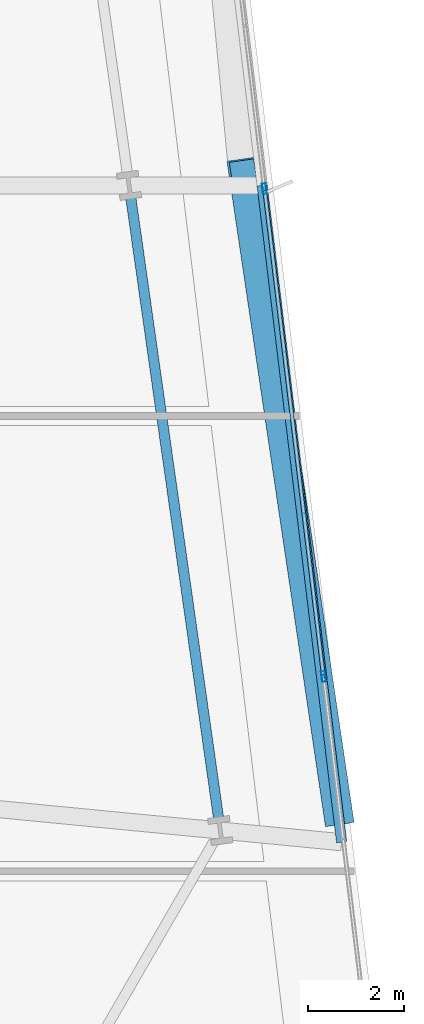
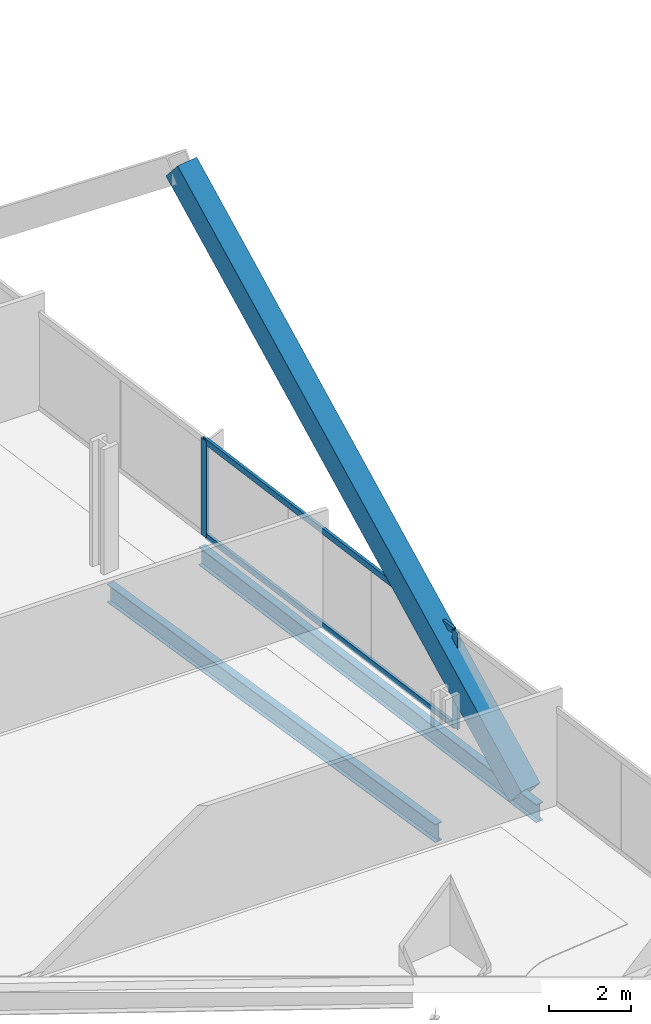
# One storey, part 13 of 33: 5 members, 2 beams, 1 element without a shape of its own.
"""IFC4 building model written with IfcOpenShell, lengths in metres."""

from ifc_helpers import new_model, si_unit, direction, frame, origin, origin_2d, place, context, subcontext, project, spatial, hollow_rectangle, i_section, extrude, material, material_profile, profile_set, type_object, element, aggregate, save


model = new_model("IFC4")

# Units and contexts
model_context = context("Model", 3, precision=1e-05, world=origin(), true_north=direction((0.0, 1.0)))
body_context = subcontext(model_context, "Body", "Model", "MODEL_VIEW")
ifc_project = project(units=[si_unit("LENGTHUNIT", "METRE"), si_unit("AREAUNIT", "SQUARE_METRE"), si_unit("VOLUMEUNIT", "CUBIC_METRE"), si_unit("PLANEANGLEUNIT", "RADIAN"), si_unit("MASSUNIT", "GRAM", prefix="KILO")], contexts=[model_context])

# Site, building, storey
site_placement = place(None, origin())
site = spatial("IfcSite", under=ifc_project, at=site_placement, CompositionType="ELEMENT")
building_placement = place(site_placement, origin())
building = spatial("IfcBuilding", under=site, at=building_placement, Name="Haldenkirk Collegiate Tower", CompositionType="ELEMENT")
storey_placement = place(building_placement, frame((0.0, 0.0, 51.449951171875)))
storey = spatial("IfcBuildingStorey", under=building, at=storey_placement, Name="L11", CompositionType="ELEMENT", Elevation=51.449951171875)

# Beams
ifc_material_1 = material(Name="Steel ASTM A992 Grade 50", Category="steel")
ifc_material_profile_1 = material_profile(ifc_material_1, i_section(OverallWidth=0.2119140625, OverallDepth=0.5439453125, WebThickness=0.01318359375, FlangeThickness=0.021240234375, at=origin_2d()), Name="W21X83")
ifc_profile_set_1 = profile_set([ifc_material_profile_1], Name="Steel ASTM A992 Grade 50")
beam_type = type_object("IfcBeamType", Name="BM-SPANDREL-W21X83", PredefinedType="SPANDREL", material=ifc_profile_set_1)
beam_1_placement = place(storey_placement, frame((61.611083984375, 16.65478515625, -0.58203125), z_axis=(-0.140040904101, 0.990145719164, 0.0), x_axis=(-0.990145719164, -0.140040904101, 0.0)))
element("IfcBeam", 1, at=beam_1_placement, inside=storey, type_object=beam_type, Name="L11 perimeter spandrel beam 06", PredefinedType="SPANDREL", context=body_context, shape_type="SweptSolid", body=[
    extrude(i_section(OverallWidth=0.2119140625, OverallDepth=0.5439453125, WebThickness=0.01318359375, FlangeThickness=0.021240234375, at=origin_2d()), origin(), (0.0, 0.0, 1.0), 13.000244140625),
])
beam_2_placement = place(storey_placement, frame((64.16748046875, 16.14990234375, -0.58203125), z_axis=(-0.120147210289, 0.992756086791, 0.0), x_axis=(-0.992756086791, -0.120147210289, 0.0)))
element("IfcBeam", 2, at=beam_2_placement, inside=storey, type_object=beam_type, Name="L11 outer facade edge beam 2A", PredefinedType="SPANDREL", context=body_context, shape_type="SweptSolid", body=[
    extrude(i_section(OverallWidth=0.2119140625, OverallDepth=0.5439453125, WebThickness=0.01318359375, FlangeThickness=0.021240234375, at=origin_2d()), origin(), (0.0, 0.0, 1.0), 13.738525390625),
])

# Curtain wall, members
ifc_material_2 = material(Name="Anodised architectural bronze aluminium", Category="aluminium")
curtain_wall_type = type_object("IfcCurtainWallType", Name="CW-SYS1-CONVEX-LOW", PredefinedType="USERDEFINED", material=ifc_material_2)
curtain_wall_placement = place(storey_placement, origin())
curtain_wall = element("IfcCurtainWall", 3, at=curtain_wall_placement, inside=storey, type_object=curtain_wall_type, Name="L11 Lower tower convex bronze-framed unitised curtain wall", ObjectType="UNITISED CURTAIN WALL", PredefinedType="USERDEFINED")
ifc_material_profile_2 = material_profile(ifc_material_2, hollow_rectangle(XDim=0.080078125, YDim=0.219970703125, WallThickness=0.0048828125, at=origin_2d()), Name="CW-MUL-1A")
ifc_profile_set_2 = profile_set([ifc_material_profile_2], Name="Anodised architectural bronze aluminium")
member_type_1 = type_object("IfcMemberType", Name="CW-MUL-1A", PredefinedType="MULLION", material=ifc_profile_set_2)
member_1_placement = place(storey_placement, frame((62.565673828125, 29.718505859375, 0.0), z_axis=(0.0, 0.0, 1.0), x_axis=(0.992757292466, 0.120137247576, 0.0)))
member_1 = element("IfcMember", 4, at=member_1_placement, type_object=member_type_1, Name="CW-1A mullion 3", PredefinedType="MULLION", context=body_context, shape_type="SweptSolid", body=[
    extrude(hollow_rectangle(XDim=0.080078125, YDim=0.219970703125, WallThickness=0.0048828125, at=origin_2d()), origin(), (0.0, 0.0, 1.0), 2.89111328125),
])
member_2_placement = place(storey_placement, frame((63.791015625, 19.59228515625, 0.0), z_axis=(0.0, 0.0, 1.0), x_axis=(0.992757292466, 0.120137247576, 0.0)))
member_2 = element("IfcMember", 5, at=member_2_placement, type_object=member_type_1, Name="CW-1A mullion 4", PredefinedType="MULLION", context=body_context, shape_type="SweptSolid", body=[
    extrude(hollow_rectangle(XDim=0.080078125, YDim=0.219970703125, WallThickness=0.0048828125, at=origin_2d()), origin(), (0.0, 0.0, 1.0), 2.89111328125),
])
ifc_material_profile_3 = material_profile(ifc_material_2, hollow_rectangle(XDim=0.080078125, YDim=0.179931640625, WallThickness=0.0048828125, at=origin_2d()), Name="CW-TRN-1A")
ifc_profile_set_3 = profile_set([ifc_material_profile_3], Name="Anodised architectural bronze aluminium")
member_type_2 = type_object("IfcMemberType", Name="CW-TRN-1A", PredefinedType="USERDEFINED", material=ifc_profile_set_3)
member_3_placement = place(storey_placement, frame((62.570556640625, 29.6787109375, 0.0400390625), z_axis=(0.120141161999, -0.99275681876, 0.0), x_axis=(0.99275681876, 0.120141161999, 0.0)))
member_3 = element("IfcMember", 6, at=member_3_placement, type_object=member_type_2, Name="CW-1A transom 3.1", ObjectType="TRANSOM", PredefinedType="USERDEFINED", context=body_context, shape_type="SweptSolid", body=[
    extrude(hollow_rectangle(XDim=0.080078125, YDim=0.179931640625, WallThickness=0.0048828125, at=origin_2d()), origin(), (0.0, 0.0, 1.0), 10.119873046875),
])
member_4_placement = place(storey_placement, frame((62.570556640625, 29.6787109375, 2.85107421875), z_axis=(0.120141161999, -0.99275681876, 0.0), x_axis=(0.99275681876, 0.120141161999, 0.0)))
member_4 = element("IfcMember", 7, at=member_4_placement, type_object=member_type_2, Name="CW-1A transom 3.2", ObjectType="TRANSOM", PredefinedType="USERDEFINED", context=body_context, shape_type="SweptSolid", body=[
    extrude(hollow_rectangle(XDim=0.080078125, YDim=0.179931640625, WallThickness=0.0048828125, at=origin_2d()), origin(), (0.0, 0.0, 1.0), 10.119873046875),
])
aggregate(curtain_wall, [member_1, member_2, member_3, member_4])

# Member
ifc_material_3 = material(Name="Steel ASTM A572 Grade 50", Category="steel")
ifc_material_profile_4 = material_profile(ifc_material_3, hollow_rectangle(XDim=0.60009765625, YDim=0.719970703125, WallThickness=0.044921875, at=origin_2d()), Name="BOX720X600X45")
ifc_profile_set_4 = profile_set([ifc_material_profile_4], Name="Steel ASTM A572 Grade 50")
member_type_3 = type_object("IfcMemberType", Name="MBR-MEGABRACE-BOX720X600X45", PredefinedType="BRACE", material=ifc_profile_set_4)
member_5_placement = place(storey_placement, frame((64.09521484375, 16.74560546875, -0.320068359375), z_axis=(-0.112515213632, 0.760019431936, 0.640086548664), x_axis=(-0.989218600428, -0.146446442656, 0.0)))
element("IfcMember", 8, at=member_5_placement, inside=storey, type_object=member_type_3, Name="Perimeter Mega Brace Z1 L11-L13 EL", PredefinedType="BRACE", context=body_context, shape_type="SweptSolid", body=[
    extrude(hollow_rectangle(XDim=0.60009765625, YDim=0.719970703125, WallThickness=0.044921875, at=origin_2d()), origin(), (0.0, 0.0, 1.0), 17.57568359375),
])

save(model, "model.ifc")
